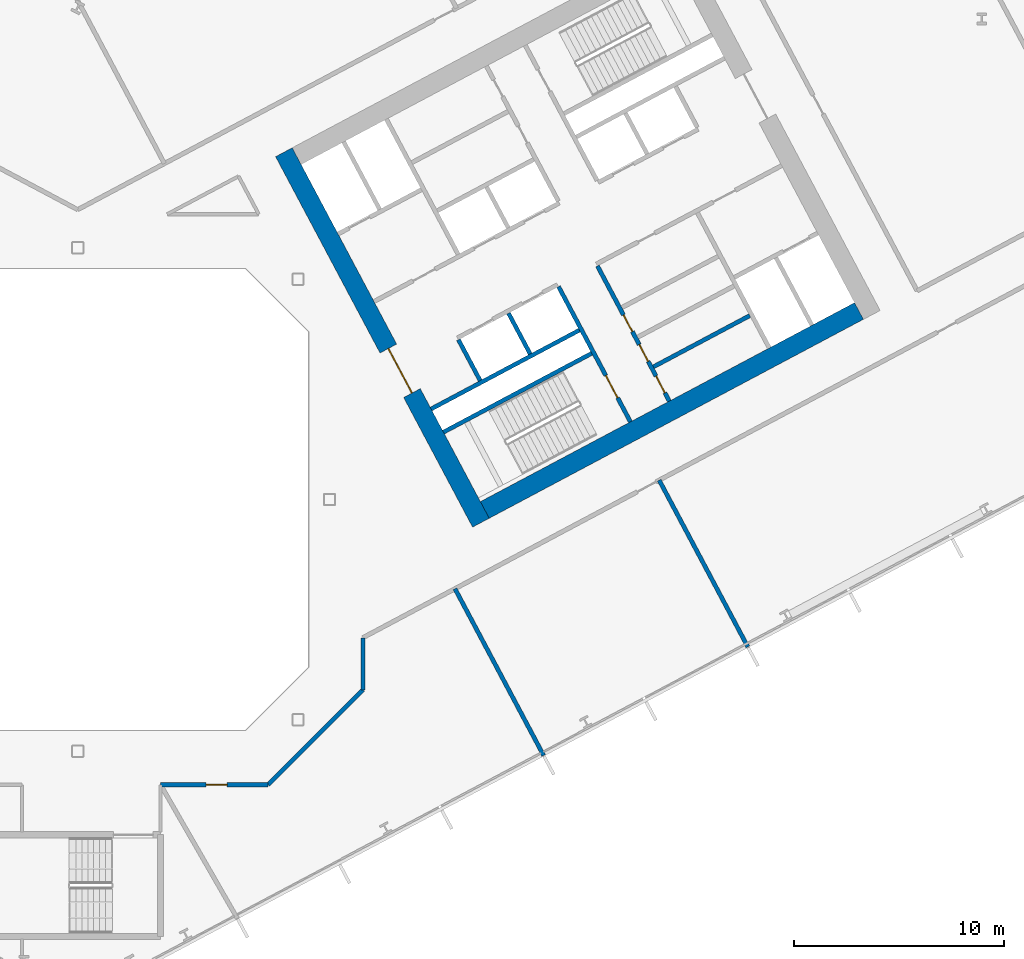
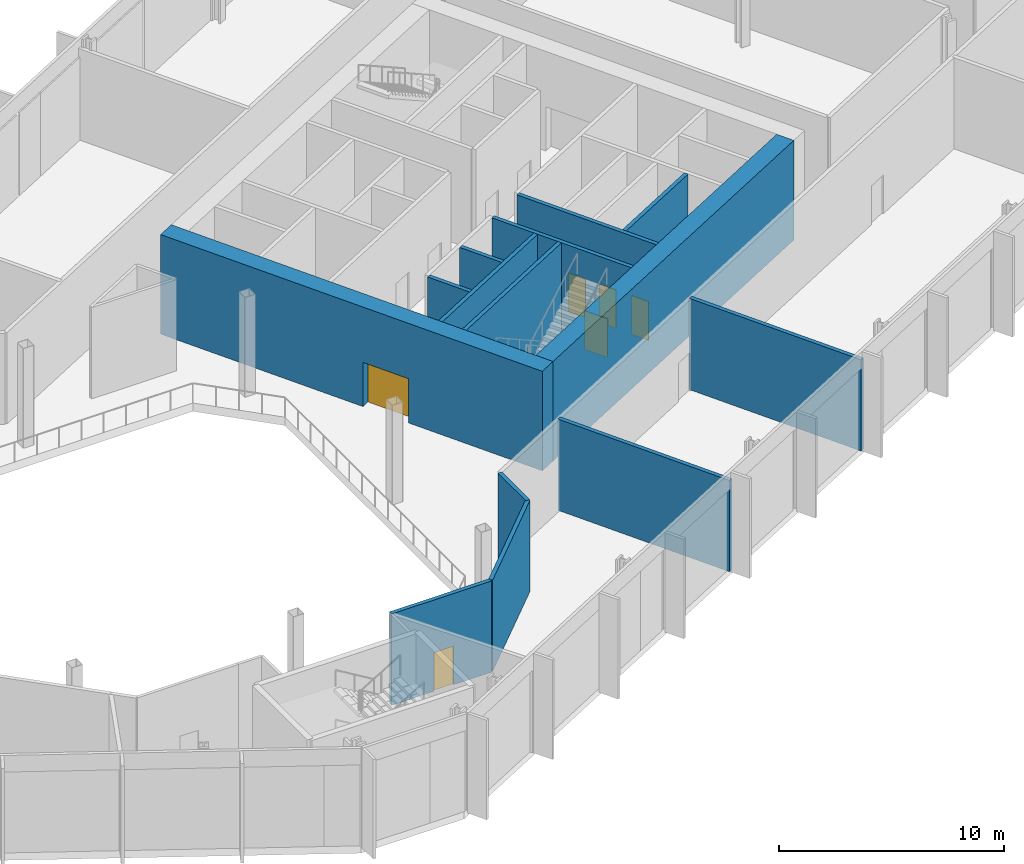
# One storey, part 15 of 32: 14 walls, 6 doors, 6 openings.
"""IFC4 building model written with IfcOpenShell, lengths in metres."""

from ifc_helpers import new_model, si_unit, direction, frame, frame_2d, origin, place, context, subcontext, project, spatial, rectangle, extrude, material, layer, layer_set, type_object, element, fill, save


model = new_model("IFC4")

# Units and contexts
model_context = context("Model", 3, precision=1e-05, world=origin(), true_north=direction((0.0, 1.0)))
body_context = subcontext(model_context, "Body", "Model", "MODEL_VIEW")
ifc_project = project(units=[si_unit("LENGTHUNIT", "METRE"), si_unit("AREAUNIT", "SQUARE_METRE"), si_unit("VOLUMEUNIT", "CUBIC_METRE"), si_unit("PLANEANGLEUNIT", "RADIAN"), si_unit("MASSUNIT", "GRAM", prefix="KILO")], contexts=[model_context])

# Site, building, storey
site_placement = place(None, origin())
site = spatial("IfcSite", under=ifc_project, at=site_placement, CompositionType="ELEMENT")
building_placement = place(site_placement, origin())
building = spatial("IfcBuilding", under=site, at=building_placement, Name="Cormorant Relay Tower", CompositionType="ELEMENT")
storey_placement = place(building_placement, frame((0.0, 0.0, 28.39990234375)))
storey = spatial("IfcBuildingStorey", under=building, at=storey_placement, Name="L05", CompositionType="ELEMENT", Elevation=28.39990234375)

# Walls
ifc_material_1 = material(Name="Concrete 40 MPa", Category="concrete")
ifc_layer_1 = layer(ifc_material_1, 0.199951171875)
ifc_layer_set_1 = layer_set([ifc_layer_1], Name="Core internal wall 200")
wall_type_1 = type_object("IfcWallType", Name="Core internal wall 200", PredefinedType="SOLIDWALL", material=ifc_layer_set_1)
wall_1_placement = place(storey_placement, frame((21.567626953125, 6.9375, 0.0), z_axis=(0.0, 0.0, 1.0), x_axis=(-0.469533832133, 0.882914480843, 0.0)))
element("IfcWall", 1, at=wall_1_placement, inside=storey, type_object=wall_type_1, Name="L05 core B shaft and room wall", PredefinedType="SOLIDWALL", context=body_context, shape_type="SweptSolid", body=[
    extrude(rectangle(XDim=2.199951171875, YDim=0.199951171875, at=frame_2d((1.10009765625, 0.0))), origin(), (0.0, 0.0, 1.0), 5.400146484375),
])
wall_2_placement = place(storey_placement, frame((27.443359375, 6.32421875, 0.0), z_axis=(0.0, 0.0, 1.0), x_axis=(0.882953967957, 0.469459572775, 0.0)))
element("IfcWall", 2, at=wall_2_placement, inside=storey, type_object=wall_type_1, Name="L05 core B shaft and room wall", PredefinedType="SOLIDWALL", context=body_context, shape_type="SweptSolid", body=[
    extrude(rectangle(XDim=5.199951171875, YDim=0.199951171875, at=frame_2d((2.60009765625, 0.0))), origin(), (0.0, 0.0, 1.0), 5.400146484375),
])
ifc_material_2 = material(Name="Concrete 50 MPa", Category="concrete")
ifc_layer_2 = layer(ifc_material_2, 0.199951171875)
ifc_layer_set_2 = layer_set([ifc_layer_2], Name="Core shaft wall 200")
wall_type_2 = type_object("IfcWallType", Name="Core shaft wall 200", PredefinedType="SHEAR", material=ifc_layer_set_2)
wall_3_placement = place(storey_placement, frame((19.18359375, 5.669921875, 0.0), z_axis=(0.0, 0.0, 1.0), x_axis=(-0.4694473164, 0.882960484464, 0.0)))
element("IfcWall", 3, at=wall_3_placement, inside=storey, type_object=wall_type_2, Name="L05 core B shaft wall", PredefinedType="SHEAR", context=body_context, shape_type="SweptSolid", body=[
    extrude(rectangle(XDim=2.199951171875, YDim=0.199951171875, at=frame_2d((1.10009765625, 0.0))), origin(), (0.0, 0.0, 1.0), 5.400146484375),
])

# Wall, opening, door
wall_4_placement = place(storey_placement, frame((26.345947265625, 3.701904296875, 0.0), z_axis=(0.0, 0.0, 1.0), x_axis=(-0.469480409012, 0.88294288918, 0.0)))
wall_4 = element("IfcWall", 4, at=wall_4_placement, inside=storey, type_object=wall_type_2, Name="L05 core B shaft wall", PredefinedType="SHEAR", context=body_context, shape_type="SweptSolid", body=[
    extrude(rectangle(XDim=7.300048828125, YDim=0.199951171875, at=frame_2d((3.64990234375, 0.0))), origin(), (0.0, 0.0, 1.0), 5.400146484375),
])
opening_1_placement = place(wall_4_placement, frame((1.300048828125, 0.0, 0.0)))
opening_1 = element("IfcOpeningElement", 5, at=opening_1_placement, cuts=wall_4, Name="Opening CDB-021", PredefinedType="OPENING", context=body_context, shape_type="SweptSolid", body=[
    extrude(rectangle(XDim=1.199951171875, YDim=2.10009765625, at=frame_2d((0.60009765625, 1.050048828125))), frame((0.0, 0.10986328125, 0.0), z_axis=(0.0, -1.0, 0.0), x_axis=(1.0, 0.0, 0.0)), (0.0, 0.0, 1.0), 0.219970703125),
])
ifc_material_3 = material(Name="Steel fire door", Category="steel")
door_type_1 = type_object("IfcDoorType", Name="Core stair door 1200x2100", OperationType="SINGLE_SWING_LEFT", PredefinedType="DOOR", material=ifc_material_3)
door_1_placement = place(opening_1_placement, origin())
door_1 = element("IfcDoor", 6, at=door_1_placement, inside=storey, type_object=door_type_1, Name="Core stair door 1200x2100", OperationType="SINGLE_SWING_RIGHT", OverallHeight=2.10009765625, OverallWidth=1.199951171875, PredefinedType="DOOR", context=body_context, shape_type="SweptSolid", body=[
    extrude(rectangle(XDim=1.199951171875, YDim=2.10009765625, at=frame_2d((0.60009765625, 1.050048828125))), frame((0.0, 0.02490234375, 0.0), z_axis=(0.0, -1.0, 0.0), x_axis=(1.0, 0.0, 0.0)), (0.0, 0.0, 1.0), 0.050048828125),
])
fill(opening_1, door_1)

# Wall, openings, doors
wall_5_placement = place(storey_placement, frame((28.199951171875, 4.687744140625, 0.0), z_axis=(0.0, 0.0, 1.0), x_axis=(-0.469454336211, 0.882956752176, 0.0)))
wall_5 = element("IfcWall", 7, at=wall_5_placement, inside=storey, type_object=wall_type_2, Name="L05 core B shaft wall", PredefinedType="SHEAR", context=body_context, shape_type="SweptSolid", body=[
    extrude(rectangle(XDim=7.300048828125, YDim=0.199951171875, at=frame_2d((3.64990234375, 0.0))), origin(), (0.0, 0.0, 1.0), 5.400146484375),
])
opening_2_placement = place(wall_5_placement, frame((0.449951171875, 0.0, 0.0)))
opening_2 = element("IfcOpeningElement", 8, at=opening_2_placement, cuts=wall_5, Name="Opening CDD-092", PredefinedType="OPENING", context=body_context, shape_type="SweptSolid", body=[
    extrude(rectangle(XDim=0.89990234375, YDim=2.10009765625, at=frame_2d((0.449951171875, 1.050048828125))), frame((0.0, 0.10986328125, 0.0), z_axis=(0.0, -1.0, 0.0), x_axis=(1.0, 0.0, 0.0)), (0.0, 0.0, 1.0), 0.219970703125),
])
opening_3_placement = place(wall_5_placement, frame((2.14990234375, 0.0, 0.0)))
opening_3 = element("IfcOpeningElement", 9, at=opening_3_placement, cuts=wall_5, Name="Opening CDD-093", PredefinedType="OPENING", context=body_context, shape_type="SweptSolid", body=[
    extrude(rectangle(XDim=0.89990234375, YDim=2.10009765625, at=frame_2d((0.449951171875, 1.050048828125))), frame((0.0, 0.10986328125, 0.0), z_axis=(0.0, -1.0, 0.0), x_axis=(1.0, 0.0, 0.0)), (0.0, 0.0, 1.0), 0.219970703125),
])
opening_4_placement = place(wall_5_placement, frame((3.75, 0.0, 0.0)))
opening_4 = element("IfcOpeningElement", 10, at=opening_4_placement, cuts=wall_5, Name="Opening CDD-094", PredefinedType="OPENING", context=body_context, shape_type="SweptSolid", body=[
    extrude(rectangle(XDim=0.89990234375, YDim=2.10009765625, at=frame_2d((0.449951171875, 1.050048828125))), frame((0.0, 0.10986328125, 0.0), z_axis=(0.0, -1.0, 0.0), x_axis=(1.0, 0.0, 0.0)), (0.0, 0.0, 1.0), 0.219970703125),
])
ifc_material_4 = material(Name="Steel fire door", Category="steel")
door_type_2 = type_object("IfcDoorType", Name="Core room door 900x2100", OperationType="SINGLE_SWING_LEFT", PredefinedType="DOOR", material=ifc_material_4)
door_2_placement = place(opening_2_placement, frame((0.89990234375, 0.0, 0.0), z_axis=(0.0, 0.0, 1.0), x_axis=(-1.0, 0.0, 0.0)))
door_2 = element("IfcDoor", 11, at=door_2_placement, inside=storey, type_object=door_type_2, Name="Core room door 900x2100", OperationType="SINGLE_SWING_LEFT", OverallHeight=2.10009765625, OverallWidth=0.89990234375, PredefinedType="DOOR", context=body_context, shape_type="SweptSolid", body=[
    extrude(rectangle(XDim=0.89990234375, YDim=2.10009765625, at=frame_2d((0.449951171875, 1.050048828125))), frame((0.0, 0.02490234375, 0.0), z_axis=(0.0, -1.0, 0.0), x_axis=(1.0, 0.0, 0.0)), (0.0, 0.0, 1.0), 0.050048828125),
])
fill(opening_2, door_2)
door_3_placement = place(opening_3_placement, frame((0.89990234375, 0.0, 0.0), z_axis=(0.0, 0.0, 1.0), x_axis=(-1.0, 0.0, 0.0)))
door_3 = element("IfcDoor", 12, at=door_3_placement, inside=storey, type_object=door_type_2, Name="Core room door 900x2100", OperationType="SINGLE_SWING_LEFT", OverallHeight=2.10009765625, OverallWidth=0.89990234375, PredefinedType="DOOR", context=body_context, shape_type="SweptSolid", body=[
    extrude(rectangle(XDim=0.89990234375, YDim=2.10009765625, at=frame_2d((0.449951171875, 1.050048828125))), frame((0.0, 0.02490234375, 0.0), z_axis=(0.0, -1.0, 0.0), x_axis=(1.0, 0.0, 0.0)), (0.0, 0.0, 1.0), 0.050048828125),
])
fill(opening_3, door_3)
door_4_placement = place(opening_4_placement, frame((0.89990234375, 0.0, 0.0), z_axis=(0.0, 0.0, 1.0), x_axis=(-1.0, 0.0, 0.0)))
door_4 = element("IfcDoor", 13, at=door_4_placement, inside=storey, type_object=door_type_2, Name="Core room door 900x2100", OperationType="SINGLE_SWING_LEFT", OverallHeight=2.10009765625, OverallWidth=0.89990234375, PredefinedType="DOOR", context=body_context, shape_type="SweptSolid", body=[
    extrude(rectangle(XDim=0.89990234375, YDim=2.10009765625, at=frame_2d((0.449951171875, 1.050048828125))), frame((0.0, 0.02490234375, 0.0), z_axis=(0.0, -1.0, 0.0), x_axis=(1.0, 0.0, 0.0)), (0.0, 0.0, 1.0), 0.050048828125),
])
fill(opening_4, door_4)

# Walls
for number, where, z_axis, x_axis, name in (
    (14, (17.43359375, 3.210205078125, 0.0), (0.0, 0.0, 1.0), (0.882940221191, 0.469485426614, 0.0), "L05 core B shaft wall"),
    (15, (16.8466796875, 4.31396484375, 0.0), (0.0, 0.0, 1.0), (0.882940221191, 0.469485426614, 0.0), "L05 core B shaft wall"),
):
    element("IfcWall", number, at=place(storey_placement, frame(where, z_axis=z_axis, x_axis=x_axis)), inside=storey, type_object=wall_type_2, Name=name, PredefinedType="SHEAR", context=body_context, shape_type="SweptSolid", body=[
        extrude(rectangle(XDim=8.0, YDim=0.199951171875, at=frame_2d((4.0, 0.0))), origin(), (0.0, 0.0, 1.0), 5.400146484375),
    ])

# Wall, opening, door
ifc_material_5 = material(Name="Concrete 70 MPa", Category="concrete")
ifc_layer_3 = layer(ifc_material_5, 0.89990234375)
ifc_layer_set_3 = layer_set([ifc_layer_3], Name="Core wall 900")
wall_type_3 = type_object("IfcWallType", Name="Core wall 900", PredefinedType="SHEAR", material=ifc_layer_set_3)
wall_6_placement = place(storey_placement, frame((19.21923828125, -1.106689453125, 0.0), z_axis=(0.0, 0.0, 1.0), x_axis=(-0.46947084998, 0.882947971864, 0.0)))
wall_6 = element("IfcWall", 16, at=wall_6_placement, inside=storey, type_object=wall_type_3, Name="L05 core B wall", PredefinedType="SHEAR", context=body_context, shape_type="SweptSolid", body=[
    extrude(rectangle(XDim=20.0, YDim=0.89990234375, at=frame_2d((10.0, 0.0))), origin(), (0.0, 0.0, 1.0), 5.400146484375),
])
opening_5_placement = place(wall_6_placement, frame((7.0, 0.0, 0.0)))
opening_5 = element("IfcOpeningElement", 17, at=opening_5_placement, cuts=wall_6, Name="Opening CDA-015", PredefinedType="OPENING", context=body_context, shape_type="SweptSolid", body=[
    extrude(rectangle(XDim=2.39990234375, YDim=2.39990234375, at=frame_2d((1.199951171875, 1.199951171875))), frame((0.0, 0.4599609375, 0.0), z_axis=(0.0, -1.0, 0.0), x_axis=(1.0, 0.0, 0.0)), (0.0, 0.0, 1.0), 0.919921875),
])
ifc_material_6 = material(Name="Steel fire door", Category="steel")
door_type_3 = type_object("IfcDoorType", Name="Core lobby door 2400x2400", OperationType="DOUBLE_DOOR_SINGLE_SWING", PredefinedType="DOOR", material=ifc_material_6)
door_5_placement = place(opening_5_placement, frame((2.39990234375, 0.0, 0.0), z_axis=(0.0, 0.0, 1.0), x_axis=(-1.0, 0.0, 0.0)))
door_5 = element("IfcDoor", 18, at=door_5_placement, inside=storey, type_object=door_type_3, Name="Core lobby door 2400x2400", OperationType="DOUBLE_DOOR_SINGLE_SWING", OverallHeight=2.39990234375, OverallWidth=2.39990234375, PredefinedType="DOOR", context=body_context, shape_type="SweptSolid", body=[
    extrude(rectangle(XDim=2.39990234375, YDim=2.39990234375, at=frame_2d((1.199951171875, 1.199951171875))), frame((0.0, 0.02490234375, 0.0), z_axis=(0.0, -1.0, 0.0), x_axis=(1.0, 0.0, 0.0)), (0.0, 0.0, 1.0), 0.050048828125),
])
fill(opening_5, door_5)

# Walls
wall_7_placement = place(storey_placement, frame((19.4052734375, -0.498046875, 0.0), z_axis=(0.0, 0.0, 1.0), x_axis=(0.88294509198, 0.469476266226, 0.0)))
element("IfcWall", 19, at=wall_7_placement, inside=storey, type_object=wall_type_3, Name="L05 core B wall", PredefinedType="SHEAR", context=body_context, shape_type="SweptSolid", body=[
    extrude(rectangle(XDim=20.199951171875, YDim=0.89990234375, at=frame_2d((10.10009765625, 0.0))), origin(), (0.0, 0.0, 1.0), 5.400146484375),
])
ifc_material_7 = material(Name="Fire-rated gypsum board partition")
ifc_layer_4 = layer(ifc_material_7, 0.199951171875)
ifc_layer_set_4 = layer_set([ifc_layer_4], Name="Fire-rated gypsum partition 200")
wall_type_4 = type_object("IfcWallType", Name="Fire-rated gypsum partition 200", PredefinedType="PARTITIONING", material=ifc_layer_set_4)
wall_8_placement = place(storey_placement, frame((13.597900390625, -6.60205078125, 0.0), z_axis=(0.0, 0.0, 1.0), x_axis=(0.0, -1.0, 0.0)))
element("IfcWall", 20, at=wall_8_placement, inside=storey, type_object=wall_type_4, Name="wall/L05/part/28", PredefinedType="PARTITIONING", context=body_context, shape_type="SweptSolid", body=[
    extrude(rectangle(XDim=2.473876953125, YDim=0.199951171875, at=frame_2d((1.23681640625, 0.0))), origin(), (0.0, 0.0, 1.0), 4.9501953125),
])
wall_9_placement = place(storey_placement, frame((13.597900390625, -9.075927734375, 0.0), z_axis=(0.0, 0.0, 1.0), x_axis=(-0.707106781187, -0.707106781187, 0.0)))
element("IfcWall", 21, at=wall_9_placement, inside=storey, type_object=wall_type_4, Name="wall/L05/part/29", PredefinedType="PARTITIONING", context=body_context, shape_type="SweptSolid", body=[
    extrude(rectangle(XDim=6.39501953125, YDim=0.199951171875, at=frame_2d((3.197509765625, 0.0))), origin(), (0.0, 0.0, 1.0), 4.9501953125),
])

# Wall, opening, door
wall_10_placement = place(storey_placement, frame((9.075927734375, -13.597900390625, 0.0), z_axis=(0.0, 0.0, 1.0), x_axis=(-1.0, 0.0, 0.0)))
wall_10 = element("IfcWall", 22, at=wall_10_placement, inside=storey, type_object=wall_type_4, Name="wall/L05/part/30", PredefinedType="PARTITIONING", context=body_context, shape_type="SweptSolid", body=[
    extrude(rectangle(XDim=5.1259765625, YDim=0.199951171875, at=frame_2d((2.56298828125, 0.0))), origin(), (0.0, 0.0, 1.0), 4.9501953125),
])
opening_6_placement = place(wall_10_placement, frame((1.949951171875, 0.0, 0.0)))
opening_6 = element("IfcOpeningElement", 23, at=opening_6_placement, cuts=wall_10, Name="Opening FD1-029", PredefinedType="OPENING", context=body_context, shape_type="SweptSolid", body=[
    extrude(rectangle(XDim=1.0, YDim=2.10009765625, at=frame_2d((0.5, 1.050048828125))), frame((0.0, 0.10986328125, 0.0), z_axis=(0.0, -1.0, 0.0), x_axis=(1.0, 0.0, 0.0)), (0.0, 0.0, 1.0), 0.219970703125),
])
ifc_material_8 = material(Name="Fire-rated steel door", Category="steel")
door_type_4 = type_object("IfcDoorType", Name="Fire door 1000 x 2100", OperationType="SINGLE_SWING_LEFT", PredefinedType="DOOR", material=ifc_material_8)
door_6_placement = place(opening_6_placement, origin())
door_6 = element("IfcDoor", 24, at=door_6_placement, inside=storey, type_object=door_type_4, Name="door/L05/10", OperationType="SINGLE_SWING_RIGHT", OverallHeight=2.10009765625, OverallWidth=1.0, PredefinedType="DOOR", context=body_context, shape_type="SweptSolid", body=[
    extrude(rectangle(XDim=1.0, YDim=2.10009765625, at=frame_2d((0.5, 1.050048828125))), frame((0.0, 0.02490234375, 0.0), z_axis=(0.0, -1.0, 0.0), x_axis=(1.0, 0.0, 0.0)), (0.0, 0.0, 1.0), 0.050048828125),
])
fill(opening_6, door_6)

# Walls
wall_11_placement = place(storey_placement, frame((17.98291015625, -4.2529296875, 0.0), z_axis=(0.0, 0.0, 1.0), x_axis=(0.469430813661, -0.882969258347, 0.0)))
element("IfcWall", 25, at=wall_11_placement, inside=storey, type_object=wall_type_4, Name="wall/L05/part/32", PredefinedType="PARTITIONING", context=body_context, shape_type="SweptSolid", body=[
    extrude(rectangle(XDim=9.00244140625, YDim=0.199951171875, at=frame_2d((4.501220703125, 0.0))), origin(), (0.0, 0.0, 1.0), 4.9501953125),
])
wall_12_placement = place(storey_placement, frame((27.716064453125, 0.922119140625, 0.0), z_axis=(0.0, 0.0, 1.0), x_axis=(0.469560348869, -0.882900378735, 0.0)))
element("IfcWall", 26, at=wall_12_placement, inside=storey, type_object=wall_type_4, Name="wall/L05/part/35", PredefinedType="PARTITIONING", context=body_context, shape_type="SweptSolid", body=[
    extrude(rectangle(XDim=9.002197265625, YDim=0.199951171875, at=frame_2d((4.5009765625, 0.0))), origin(), (0.0, 0.0, 1.0), 4.9501953125),
])

save(model, "model.ifc")
